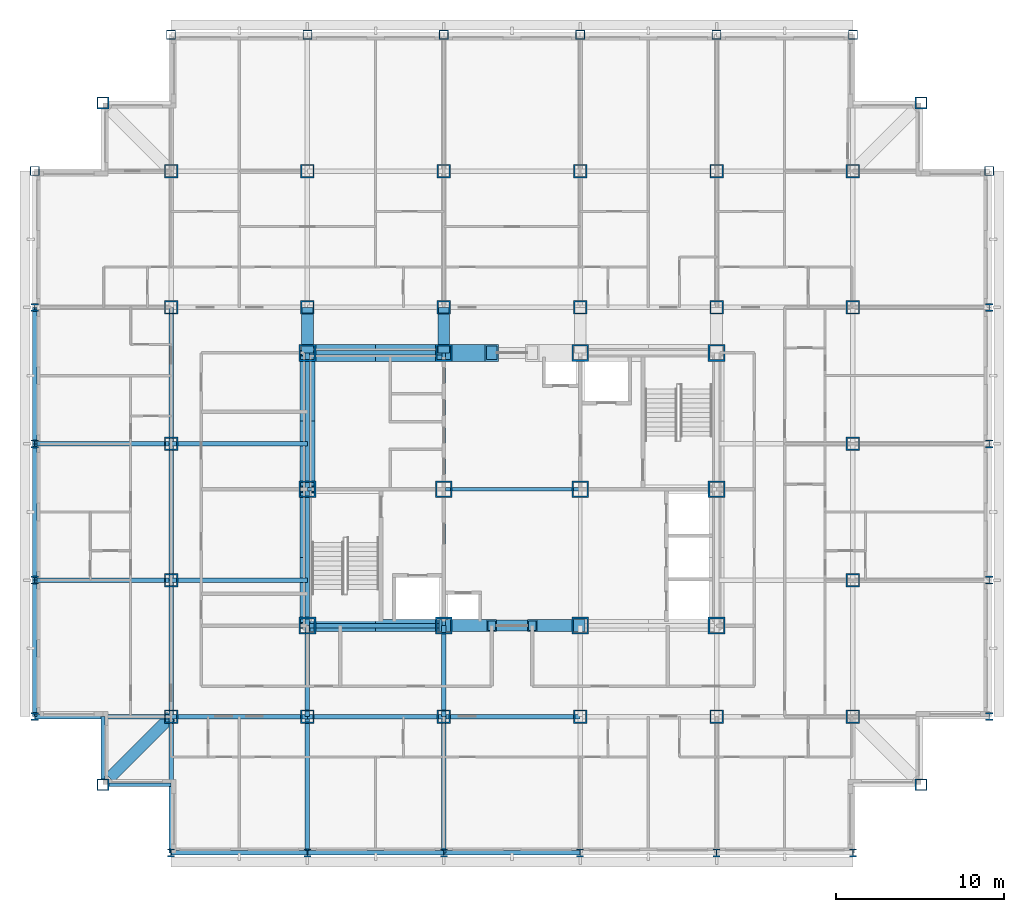
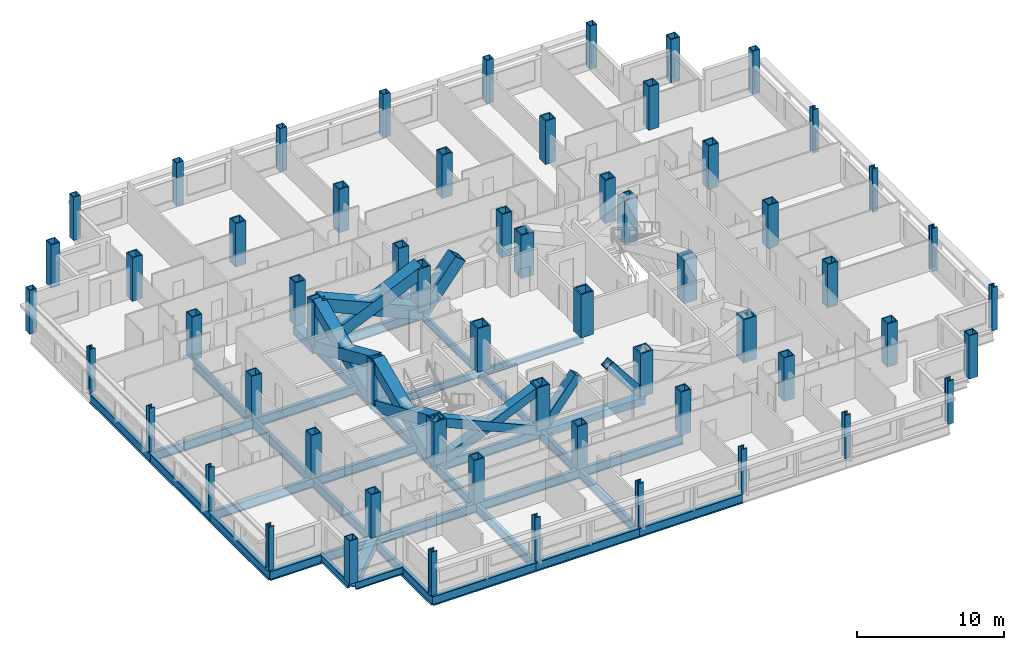
# One storey, part 1 of 12: 60 columns, 36 beams, 11 members.
"""IFC4 building model written with IfcOpenShell, lengths in metres."""

from ifc_helpers import new_model, si_unit, direction, frame, origin, origin_2d, place, context, subcontext, project, spatial, hollow_rectangle, i_section, extrude, material, material_profile, profile_set, type_object, element, save


model = new_model("IFC4")

# Units and contexts
model_context = context("Model", 3, precision=1e-05, world=origin(), true_north=direction((0.0, 1.0)))
body_context = subcontext(model_context, "Body", "Model", "MODEL_VIEW")
ifc_project = project(units=[si_unit("LENGTHUNIT", "METRE"), si_unit("AREAUNIT", "SQUARE_METRE"), si_unit("VOLUMEUNIT", "CUBIC_METRE"), si_unit("PLANEANGLEUNIT", "RADIAN"), si_unit("MASSUNIT", "GRAM", prefix="KILO")], contexts=[model_context])

# Site, building, storey
site_placement = place(None, origin())
site = spatial("IfcSite", under=ifc_project, at=site_placement, CompositionType="ELEMENT")
building_placement = place(site_placement, origin())
building = spatial("IfcBuilding", under=site, at=building_placement, Name="Kopane Lantern Tower", CompositionType="ELEMENT")
storey_placement = place(building_placement, frame((0.0, 0.0, 231.60009765625)))
storey = spatial("IfcBuildingStorey", under=building, at=storey_placement, Name="L60", CompositionType="ELEMENT", Elevation=231.60009765625)

# Columns
ifc_material_1 = material(Name="Steel S355JR", Category="steel")
ifc_material_profile_1 = material_profile(ifc_material_1, hollow_rectangle(XDim=1.0, YDim=1.0, WallThickness=0.10009765625, at=origin_2d()), Name="BOX 1000x1000x100")
ifc_profile_set_1 = profile_set([ifc_material_profile_1], Name="Steel S355JR")
column_type_1 = type_object("IfcColumnType", Name="COLUMN BOX 1000x1000x100", PredefinedType="COLUMN", material=ifc_profile_set_1)
for number, where, z_axis, x_axis, name in (
    (1, (16.199951171875, 24.300048828125, 0.0), (0.0, 0.0, 1.0), (1.0, 0.0, 0.0), "Column 4/E L60"),
    (2, (16.199951171875, 32.39990234375, 0.0), (0.0, 0.0, 1.0), (1.0, 0.0, 0.0), "Column 4/F L60"),
    (3, (16.199951171875, 40.5, 0.0), (0.0, 0.0, 1.0), (1.0, 0.0, 0.0), "Column 4/G L60"),
    (4, (24.300048828125, 24.300048828125, 0.0), (0.0, 0.0, 1.0), (1.0, 0.0, 0.0), "Column 5/E L60"),
    (5, (24.300048828125, 32.39990234375, 0.0), (0.0, 0.0, 1.0), (1.0, 0.0, 0.0), "Column 5/F L60"),
    (6, (24.300048828125, 40.5, 0.0), (0.0, 0.0, 1.0), (1.0, 0.0, 0.0), "Column 5/G L60"),
    (7, (32.39990234375, 24.300048828125, 0.0), (0.0, 0.0, 1.0), (1.0, 0.0, 0.0), "Column 6/E L60"),
    (8, (32.39990234375, 32.39990234375, 0.0), (0.0, 0.0, 1.0), (1.0, 0.0, 0.0), "Column 6/F L60"),
    (9, (32.39990234375, 40.5, 0.0), (0.0, 0.0, 1.0), (1.0, 0.0, 0.0), "Column 6/G L60"),
    (10, (40.5, 24.300048828125, 0.0), (0.0, 0.0, 1.0), (1.0, 0.0, 0.0), "Column 7/E L60"),
    (11, (40.5, 32.39990234375, 0.0), (0.0, 0.0, 1.0), (1.0, 0.0, 0.0), "Column 7/F L60"),
    (12, (40.5, 40.5, 0.0), (0.0, 0.0, 1.0), (1.0, 0.0, 0.0), "Column 7/G L60"),
):
    element("IfcColumn", number, at=place(storey_placement, frame(where, z_axis=z_axis, x_axis=x_axis)), inside=storey, type_object=column_type_1, Name=name, PredefinedType="COLUMN", context=body_context, shape_type="SweptSolid", body=[
        extrude(hollow_rectangle(XDim=1.0, YDim=1.0, WallThickness=0.10009765625, at=origin_2d()), origin(), (0.0, 0.0, 1.0), 3.599853515625),
    ])
ifc_material_2 = material(Name="Steel S355JR", Category="steel")
ifc_material_profile_2 = material_profile(ifc_material_2, hollow_rectangle(XDim=0.550048828125, YDim=0.550048828125, WallThickness=0.044921875, at=origin_2d()), Name="BOX 550x550x45")
ifc_profile_set_2 = profile_set([ifc_material_profile_2], Name="Steel S355JR")
column_type_2 = type_object("IfcColumnType", Name="COLUMN BOX 550x550x45", PredefinedType="COLUMN", material=ifc_profile_set_2)
for number, where, z_axis, x_axis, name in (
    (13, (0.0, 51.300048828125, 0.0), (0.0, 0.0, 1.0), (1.0, 0.0, 0.0), "Column 2/Q6 L60"),
    (14, (8.10009765625, 59.39990234375, 0.0), (0.0, 0.0, 1.0), (1.0, 0.0, 0.0), "Column 3/Q7 L60"),
    (15, (16.199951171875, 59.39990234375, 0.0), (0.0, 0.0, 1.0), (1.0, 0.0, 0.0), "Column 4/Q7 L60"),
    (16, (24.300048828125, 59.39990234375, 0.0), (0.0, 0.0, 1.0), (1.0, 0.0, 0.0), "Column 5/Q7 L60"),
    (17, (32.39990234375, 59.39990234375, 0.0), (0.0, 0.0, 1.0), (1.0, 0.0, 0.0), "Column 6/Q7 L60"),
    (18, (40.5, 59.39990234375, 0.0), (0.0, 0.0, 1.0), (1.0, 0.0, 0.0), "Column 7/Q7 L60"),
    (19, (48.60009765625, 59.39990234375, 0.0), (0.0, 0.0, 1.0), (1.0, 0.0, 0.0), "Column 8/Q7 L60"),
    (20, (56.699951171875, 51.300048828125, 0.0), (0.0, 0.0, 1.0), (1.0, 0.0, 0.0), "Column 9/Q6 L60"),
):
    element("IfcColumn", number, at=place(storey_placement, frame(where, z_axis=z_axis, x_axis=x_axis)), inside=storey, type_object=column_type_2, Name=name, PredefinedType="COLUMN", context=body_context, shape_type="SweptSolid", body=[
        extrude(hollow_rectangle(XDim=0.550048828125, YDim=0.550048828125, WallThickness=0.044921875, at=origin_2d()), origin(), (0.0, 0.0, 1.0), 3.599853515625),
    ])
ifc_material_3 = material(Name="Steel S355JR", Category="steel")
ifc_material_profile_3 = material_profile(ifc_material_3, hollow_rectangle(XDim=0.699951171875, YDim=0.699951171875, WallThickness=0.070068359375, at=origin_2d()), Name="BOX 700x700x70")
ifc_profile_set_3 = profile_set([ifc_material_profile_3], Name="Steel S355JR")
column_type_3 = type_object("IfcColumnType", Name="COLUMN BOX 700x700x70", PredefinedType="COLUMN", material=ifc_profile_set_3)
for number, where, z_axis, x_axis, name in (
    (21, (4.050048828125, 14.85009765625, 0.0), (0.0, 0.0, 1.0), (1.0, 0.0, 0.0), "Column 4.05/14.85 L60"),
    (22, (4.050048828125, 55.35009765625, 0.0), (0.0, 0.0, 1.0), (1.0, 0.0, 0.0), "Column 4.05/55.35 L60"),
    (23, (52.64990234375, 14.85009765625, 0.0), (0.0, 0.0, 1.0), (1.0, 0.0, 0.0), "Column 52.65/14.85 L60"),
    (24, (52.64990234375, 55.35009765625, 0.0), (0.0, 0.0, 1.0), (1.0, 0.0, 0.0), "Column 52.65/55.35 L60"),
):
    element("IfcColumn", number, at=place(storey_placement, frame(where, z_axis=z_axis, x_axis=x_axis)), inside=storey, type_object=column_type_3, Name=name, PredefinedType="COLUMN", context=body_context, shape_type="SweptSolid", body=[
        extrude(hollow_rectangle(XDim=0.699951171875, YDim=0.699951171875, WallThickness=0.070068359375, at=origin_2d()), origin(), (0.0, 0.0, 1.0), 3.599853515625),
    ])
ifc_material_4 = material(Name="Steel S355JR", Category="steel")
ifc_material_profile_4 = material_profile(ifc_material_4, hollow_rectangle(XDim=0.800048828125, YDim=0.800048828125, WallThickness=0.080078125, at=origin_2d()), Name="BOX 800x800x80")
ifc_profile_set_4 = profile_set([ifc_material_profile_4], Name="Steel S355JR")
column_type_4 = type_object("IfcColumnType", Name="COLUMN BOX 800x800x80", PredefinedType="COLUMN", material=ifc_profile_set_4)
for number, where, z_axis, x_axis, name in (
    (25, (8.10009765625, 18.89990234375, 0.0), (0.0, 0.0, 1.0), (1.0, 0.0, 0.0), "Column 3/Q2 L60"),
    (26, (8.10009765625, 27.0, 0.0), (0.0, 0.0, 1.0), (1.0, 0.0, 0.0), "Column 3/Q3 L60"),
    (27, (8.10009765625, 35.10009765625, 0.0), (0.0, 0.0, 1.0), (1.0, 0.0, 0.0), "Column 3/Q4 L60"),
    (28, (8.10009765625, 43.199951171875, 0.0), (0.0, 0.0, 1.0), (1.0, 0.0, 0.0), "Column 3/Q5 L60"),
    (29, (8.10009765625, 51.300048828125, 0.0), (0.0, 0.0, 1.0), (1.0, 0.0, 0.0), "Column 3/Q6 L60"),
    (30, (16.199951171875, 18.89990234375, 0.0), (0.0, 0.0, 1.0), (1.0, 0.0, 0.0), "Column 4/Q2 L60"),
    (31, (16.199951171875, 43.199951171875, 0.0), (0.0, 0.0, 1.0), (1.0, 0.0, 0.0), "Column 4/Q5 L60"),
    (32, (16.199951171875, 51.300048828125, 0.0), (0.0, 0.0, 1.0), (1.0, 0.0, 0.0), "Column 4/Q6 L60"),
    (33, (24.300048828125, 18.89990234375, 0.0), (0.0, 0.0, 1.0), (1.0, 0.0, 0.0), "Column 5/Q2 L60"),
    (34, (24.300048828125, 43.199951171875, 0.0), (0.0, 0.0, 1.0), (1.0, 0.0, 0.0), "Column 5/Q5 L60"),
    (35, (24.300048828125, 51.300048828125, 0.0), (0.0, 0.0, 1.0), (1.0, 0.0, 0.0), "Column 5/Q6 L60"),
    (36, (32.39990234375, 18.89990234375, 0.0), (0.0, 0.0, 1.0), (1.0, 0.0, 0.0), "Column 6/Q2 L60"),
    (37, (32.39990234375, 43.199951171875, 0.0), (0.0, 0.0, 1.0), (1.0, 0.0, 0.0), "Column 6/Q5 L60"),
    (38, (32.39990234375, 51.300048828125, 0.0), (0.0, 0.0, 1.0), (1.0, 0.0, 0.0), "Column 6/Q6 L60"),
    (39, (40.5, 18.89990234375, 0.0), (0.0, 0.0, 1.0), (1.0, 0.0, 0.0), "Column 7/Q2 L60"),
    (40, (40.5, 43.199951171875, 0.0), (0.0, 0.0, 1.0), (1.0, 0.0, 0.0), "Column 7/Q5 L60"),
    (41, (40.5, 51.300048828125, 0.0), (0.0, 0.0, 1.0), (1.0, 0.0, 0.0), "Column 7/Q6 L60"),
    (42, (48.60009765625, 18.89990234375, 0.0), (0.0, 0.0, 1.0), (1.0, 0.0, 0.0), "Column 8/Q2 L60"),
    (43, (48.60009765625, 27.0, 0.0), (0.0, 0.0, 1.0), (1.0, 0.0, 0.0), "Column 8/Q3 L60"),
    (44, (48.60009765625, 35.10009765625, 0.0), (0.0, 0.0, 1.0), (1.0, 0.0, 0.0), "Column 8/Q4 L60"),
    (45, (48.60009765625, 43.199951171875, 0.0), (0.0, 0.0, 1.0), (1.0, 0.0, 0.0), "Column 8/Q5 L60"),
    (46, (48.60009765625, 51.300048828125, 0.0), (0.0, 0.0, 1.0), (1.0, 0.0, 0.0), "Column 8/Q6 L60"),
):
    element("IfcColumn", number, at=place(storey_placement, frame(where, z_axis=z_axis, x_axis=x_axis)), inside=storey, type_object=column_type_4, Name=name, PredefinedType="COLUMN", context=body_context, shape_type="SweptSolid", body=[
        extrude(hollow_rectangle(XDim=0.800048828125, YDim=0.800048828125, WallThickness=0.080078125, at=origin_2d()), origin(), (0.0, 0.0, 1.0), 3.599853515625),
    ])
ifc_material_5 = material(Name="Steel S355JR", Category="steel")
ifc_material_profile_5 = material_profile(ifc_material_5, i_section(OverallWidth=0.424072265625, OverallDepth=0.474609375, WebThickness=0.047607421875, FlangeThickness=0.076904296875, FilletRadius=0.01513671875, at=origin_2d()), Name="UC 356x406x634")
ifc_profile_set_5 = profile_set([ifc_material_profile_5], Name="Steel S355JR")
column_type_5 = type_object("IfcColumnType", Name="COLUMN UC 356x406x634", PredefinedType="COLUMN", material=ifc_profile_set_5)
for number, where, z_axis, x_axis, name in (
    (47, (0.0, 18.89990234375, 0.0), (0.0, 0.0, 1.0), (1.0, 0.0, 0.0), "Column 2/Q2 L60"),
    (48, (0.0, 27.0, 0.0), (0.0, 0.0, 1.0), (1.0, 0.0, 0.0), "Column 2/Q3 L60"),
    (49, (0.0, 35.10009765625, 0.0), (0.0, 0.0, 1.0), (1.0, 0.0, 0.0), "Column 2/Q4 L60"),
    (50, (0.0, 43.199951171875, 0.0), (0.0, 0.0, 1.0), (1.0, 0.0, 0.0), "Column 2/Q5 L60"),
    (51, (8.10009765625, 10.800048828125, 0.0), (0.0, 0.0, 1.0), (1.0, 0.0, 0.0), "Column 3/Q1 L60"),
    (52, (16.199951171875, 10.800048828125, 0.0), (0.0, 0.0, 1.0), (1.0, 0.0, 0.0), "Column 4/Q1 L60"),
    (53, (24.300048828125, 10.800048828125, 0.0), (0.0, 0.0, 1.0), (1.0, 0.0, 0.0), "Column 5/Q1 L60"),
    (54, (32.39990234375, 10.800048828125, 0.0), (0.0, 0.0, 1.0), (1.0, 0.0, 0.0), "Column 6/Q1 L60"),
    (55, (40.5, 10.800048828125, 0.0), (0.0, 0.0, 1.0), (1.0, 0.0, 0.0), "Column 7/Q1 L60"),
    (56, (48.60009765625, 10.800048828125, 0.0), (0.0, 0.0, 1.0), (1.0, 0.0, 0.0), "Column 8/Q1 L60"),
    (57, (56.699951171875, 18.89990234375, 0.0), (0.0, 0.0, 1.0), (1.0, 0.0, 0.0), "Column 9/Q2 L60"),
    (58, (56.699951171875, 27.0, 0.0), (0.0, 0.0, 1.0), (1.0, 0.0, 0.0), "Column 9/Q3 L60"),
    (59, (56.699951171875, 35.10009765625, 0.0), (0.0, 0.0, 1.0), (1.0, 0.0, 0.0), "Column 9/Q4 L60"),
    (60, (56.699951171875, 43.199951171875, 0.0), (0.0, 0.0, 1.0), (1.0, 0.0, 0.0), "Column 9/Q5 L60"),
):
    element("IfcColumn", number, at=place(storey_placement, frame(where, z_axis=z_axis, x_axis=x_axis)), inside=storey, type_object=column_type_5, Name=name, PredefinedType="COLUMN", context=body_context, shape_type="SweptSolid", body=[
        extrude(i_section(OverallWidth=0.424072265625, OverallDepth=0.474609375, WebThickness=0.047607421875, FlangeThickness=0.076904296875, FilletRadius=0.01513671875, at=origin_2d()), origin(), (0.0, 0.0, 1.0), 3.599853515625),
    ])

# Members
ifc_material_6 = material(Name="Steel S355JR", Category="steel")
ifc_material_profile_6 = material_profile(ifc_material_6, hollow_rectangle(XDim=1.0, YDim=1.0, WallThickness=0.10009765625, at=origin_2d()), Name="BOX 1000x1000x100")
ifc_profile_set_6 = profile_set([ifc_material_profile_6], Name="Steel S355JR")
member_type_1 = type_object("IfcMemberType", Name="BRACE BOX 1000x1000x100", PredefinedType="BRACE", material=ifc_profile_set_6)
for number, where, z_axis, x_axis, name in (
    (61, (16.199951171875, 40.5, -0.210205078125), (0.915480956597, 0.0, 0.402361302945), (0.0, 1.0, 0.0), "Core brace L60"),
    (62, (24.300048828125, 40.5, -0.210205078125), (-0.915480956597, 0.0, 0.402361302945), (0.0, -1.0, 0.0), "Core brace L60"),
):
    element("IfcMember", number, at=place(storey_placement, frame(where, z_axis=z_axis, x_axis=x_axis)), inside=storey, type_object=member_type_1, Name=name, PredefinedType="BRACE", context=body_context, shape_type="SweptSolid", body=[
        extrude(hollow_rectangle(XDim=1.0, YDim=1.0, WallThickness=0.10009765625, at=origin_2d()), origin(), (0.0, 0.0, 1.0), 8.847900390625),
    ])
member_placement = place(storey_placement, frame((24.300048828125, 40.5, -0.210205078125), z_axis=(0.624936586737, 0.0, 0.780675516817), x_axis=(0.0, 1.0, 0.0)))
element("IfcMember", 63, at=member_placement, inside=storey, type_object=member_type_1, Name="Core brace L60", PredefinedType="BRACE", context=body_context, shape_type="SweptSolid", body=[
    extrude(hollow_rectangle(XDim=1.0, YDim=1.0, WallThickness=0.10009765625, at=origin_2d()), origin(), (0.0, 0.0, 1.0), 4.560302734375),
])
ifc_material_7 = material(Name="Steel S355JR", Category="steel")
ifc_material_profile_7 = material_profile(ifc_material_7, hollow_rectangle(XDim=0.699951171875, YDim=0.699951171875, WallThickness=0.06005859375, at=origin_2d()), Name="BOX 700x700x60")
ifc_profile_set_7 = profile_set([ifc_material_profile_7], Name="Steel S355JR")
member_type_2 = type_object("IfcMemberType", Name="BRACE BOX 700x700x60", PredefinedType="BRACE", material=ifc_profile_set_7)
for number, where, z_axis, x_axis, name in (
    (64, (16.199951171875, 24.300048828125, -0.210205078125), (0.915480956597, 0.0, 0.402361302945), (0.0, 1.0, 0.0), "Core brace L60"),
    (65, (24.300048828125, 24.300048828125, -0.210205078125), (-0.915480956597, 0.0, 0.402361302945), (0.0, -1.0, 0.0), "Core brace L60"),
):
    element("IfcMember", number, at=place(storey_placement, frame(where, z_axis=z_axis, x_axis=x_axis)), inside=storey, type_object=member_type_2, Name=name, PredefinedType="BRACE", context=body_context, shape_type="SweptSolid", body=[
        extrude(hollow_rectangle(XDim=0.699951171875, YDim=0.699951171875, WallThickness=0.06005859375, at=origin_2d()), origin(), (0.0, 0.0, 1.0), 8.847900390625),
    ])
for number, where, z_axis, x_axis, name in (
    (66, (24.300048828125, 24.300048828125, -0.210205078125), (0.624936586737, 0.0, 0.780675516817), (0.0, 1.0, 0.0), "Core brace L60"),
    (67, (32.39990234375, 24.300048828125, -0.210205078125), (-0.624936586737, 0.0, 0.780675516817), (0.0, -1.0, 0.0), "Core brace L60"),
):
    element("IfcMember", number, at=place(storey_placement, frame(where, z_axis=z_axis, x_axis=x_axis)), inside=storey, type_object=member_type_2, Name=name, PredefinedType="BRACE", context=body_context, shape_type="SweptSolid", body=[
        extrude(hollow_rectangle(XDim=0.699951171875, YDim=0.699951171875, WallThickness=0.06005859375, at=origin_2d()), origin(), (0.0, 0.0, 1.0), 4.560302734375),
    ])
ifc_material_8 = material(Name="Steel S355JR", Category="steel")
ifc_material_profile_8 = material_profile(ifc_material_8, hollow_rectangle(XDim=0.89990234375, YDim=0.89990234375, WallThickness=0.090087890625, at=origin_2d()), Name="BOX 900x900x90")
ifc_profile_set_8 = profile_set([ifc_material_profile_8], Name="Steel S355JR")
member_type_3 = type_object("IfcMemberType", Name="BRACE BOX 900x900x90", PredefinedType="BRACE", material=ifc_profile_set_8)
for number, where, z_axis, x_axis, name in (
    (68, (16.199951171875, 24.300048828125, -0.210205078125), (0.0, 0.915476489268, 0.402371467176), (-1.0, 0.0, 0.0), "Core brace L60"),
    (69, (16.199951171875, 32.39990234375, -0.210205078125), (0.0, -0.915476489268, 0.402371467176), (1.0, 0.0, 0.0), "Core brace L60"),
):
    element("IfcMember", number, at=place(storey_placement, frame(where, z_axis=z_axis, x_axis=x_axis)), inside=storey, type_object=member_type_3, Name=name, PredefinedType="BRACE", context=body_context, shape_type="SweptSolid", body=[
        extrude(hollow_rectangle(XDim=0.89990234375, YDim=0.89990234375, WallThickness=0.090087890625, at=origin_2d()), origin(), (0.0, 0.0, 1.0), 8.84765625),
    ])
for number, where, z_axis, x_axis, name in (
    (70, (16.199951171875, 32.39990234375, -0.210205078125), (0.0, 0.915480956597, 0.402361302945), (-1.0, 0.0, 0.0), "Core brace L60"),
    (71, (16.199951171875, 40.5, -0.210205078125), (0.0, -0.915480956597, 0.402361302945), (1.0, 0.0, 0.0), "Core brace L60"),
):
    element("IfcMember", number, at=place(storey_placement, frame(where, z_axis=z_axis, x_axis=x_axis)), inside=storey, type_object=member_type_3, Name=name, PredefinedType="BRACE", context=body_context, shape_type="SweptSolid", body=[
        extrude(hollow_rectangle(XDim=0.89990234375, YDim=0.89990234375, WallThickness=0.090087890625, at=origin_2d()), origin(), (0.0, 0.0, 1.0), 8.847900390625),
    ])

# Beams
ifc_material_9 = material(Name="Steel S355JR", Category="steel")
ifc_material_profile_9 = material_profile(ifc_material_9, i_section(OverallWidth=0.22900390625, OverallDepth=0.6123046875, WebThickness=0.011962890625, FlangeThickness=0.01953125, FilletRadius=0.0126953125, at=origin_2d()), Name="UB 610x229x125")
ifc_profile_set_9 = profile_set([ifc_material_profile_9], Name="Steel S355JR")
beam_type_1 = type_object("IfcBeamType", Name="CORE BEAM UB 610x229x125", PredefinedType="BEAM", material=ifc_profile_set_9)
beam_1_placement = place(storey_placement, frame((16.199951171875, 32.39990234375, -0.51611328125), z_axis=(1.0, 0.0, 0.0), x_axis=(0.0, 1.0, 0.0)))
element("IfcBeam", 72, at=beam_1_placement, inside=storey, type_object=beam_type_1, Name="Core Beam L60", PredefinedType="BEAM", context=body_context, shape_type="SweptSolid", body=[
    extrude(i_section(OverallWidth=0.22900390625, OverallDepth=0.6123046875, WebThickness=0.011962890625, FlangeThickness=0.01953125, FilletRadius=0.0126953125, at=origin_2d()), origin(), (0.0, 0.0, 1.0), 8.10009765625),
])
beam_2_placement = place(storey_placement, frame((24.300048828125, 24.300048828125, -0.51611328125), z_axis=(0.0, 1.0, 0.0), x_axis=(-1.0, 0.0, 0.0)))
element("IfcBeam", 73, at=beam_2_placement, inside=storey, type_object=beam_type_1, Name="Core Beam L60", PredefinedType="BEAM", context=body_context, shape_type="SweptSolid", body=[
    extrude(i_section(OverallWidth=0.22900390625, OverallDepth=0.6123046875, WebThickness=0.011962890625, FlangeThickness=0.01953125, FilletRadius=0.0126953125, at=origin_2d()), origin(), (0.0, 0.0, 1.0), 8.099853515625),
])
beam_3_placement = place(storey_placement, frame((24.300048828125, 32.39990234375, -0.51611328125), z_axis=(0.0, 1.0, 0.0), x_axis=(-1.0, 0.0, 0.0)))
element("IfcBeam", 74, at=beam_3_placement, inside=storey, type_object=beam_type_1, Name="Core Beam L60", PredefinedType="BEAM", context=body_context, shape_type="SweptSolid", body=[
    extrude(i_section(OverallWidth=0.22900390625, OverallDepth=0.6123046875, WebThickness=0.011962890625, FlangeThickness=0.01953125, FilletRadius=0.0126953125, at=origin_2d()), origin(), (0.0, 0.0, 1.0), 8.10009765625),
])
beam_4_placement = place(storey_placement, frame((24.300048828125, 32.39990234375, -0.51611328125), z_axis=(1.0, 0.0, 0.0), x_axis=(0.0, 1.0, 0.0)))
element("IfcBeam", 75, at=beam_4_placement, inside=storey, type_object=beam_type_1, Name="Core Beam L60", PredefinedType="BEAM", context=body_context, shape_type="SweptSolid", body=[
    extrude(i_section(OverallWidth=0.22900390625, OverallDepth=0.6123046875, WebThickness=0.011962890625, FlangeThickness=0.01953125, FilletRadius=0.0126953125, at=origin_2d()), origin(), (0.0, 0.0, 1.0), 8.099853515625),
])
ifc_material_10 = material(Name="Steel S355JR", Category="steel")
ifc_material_profile_10 = material_profile(ifc_material_10, hollow_rectangle(XDim=0.699951171875, YDim=0.699951171875, WallThickness=0.06005859375, at=origin_2d()), Name="BOX 700x700x60")
ifc_profile_set_10 = profile_set([ifc_material_profile_10], Name="Steel S355JR")
beam_type_2 = type_object("IfcBeamType", Name="CORNER TIE BEAM BOX 700x700x60", PredefinedType="BEAM", material=ifc_profile_set_10)
beam_5_placement = place(storey_placement, frame((4.447509765625, 15.24755859375, -0.56005859375), z_axis=(0.70713041325, 0.707083148333, 0.0), x_axis=(-0.707083148333, 0.70713041325, 0.0)))
element("IfcBeam", 76, at=beam_5_placement, inside=storey, type_object=beam_type_2, Name="Corner Tie Beam L60", PredefinedType="BEAM", context=body_context, shape_type="SweptSolid", body=[
    extrude(hollow_rectangle(XDim=0.699951171875, YDim=0.699951171875, WallThickness=0.06005859375, at=origin_2d()), origin(), (0.0, 0.0, 1.0), 5.165283203125),
])
ifc_material_11 = material(Name="Steel S355JR", Category="steel")
ifc_material_profile_11 = material_profile(ifc_material_11, i_section(OverallWidth=0.22900390625, OverallDepth=0.6123046875, WebThickness=0.011962890625, FlangeThickness=0.01953125, FilletRadius=0.0126953125, at=origin_2d()), Name="UB 610x229x125")
ifc_profile_set_11 = profile_set([ifc_material_profile_11], Name="Steel S355JR")
beam_type_3 = type_object("IfcBeamType", Name="EDGE BEAM UB 610x229x125", PredefinedType="BEAM", material=ifc_profile_set_11)
beam_6_placement = place(storey_placement, frame((4.050048828125, 15.199951171875, -0.51611328125), z_axis=(0.0, 1.0, 0.0), x_axis=(-1.0, 0.0, 0.0)))
element("IfcBeam", 77, at=beam_6_placement, inside=storey, type_object=beam_type_3, Name="Edge Beam L60", PredefinedType="BEAM", context=body_context, shape_type="SweptSolid", body=[
    extrude(i_section(OverallWidth=0.22900390625, OverallDepth=0.6123046875, WebThickness=0.011962890625, FlangeThickness=0.01953125, FilletRadius=0.0126953125, at=origin_2d()), origin(), (0.0, 0.0, 1.0), 3.699951171875),
])
beam_7_placement = place(storey_placement, frame((4.39990234375, 14.85009765625, -0.51611328125), z_axis=(1.0, 0.0, 0.0), x_axis=(0.0, 1.0, 0.0)))
element("IfcBeam", 78, at=beam_7_placement, inside=storey, type_object=beam_type_3, Name="Edge Beam L60", PredefinedType="BEAM", context=body_context, shape_type="SweptSolid", body=[
    extrude(i_section(OverallWidth=0.22900390625, OverallDepth=0.6123046875, WebThickness=0.011962890625, FlangeThickness=0.01953125, FilletRadius=0.0126953125, at=origin_2d()), origin(), (0.0, 0.0, 1.0), 3.7001953125),
])
ifc_material_12 = material(Name="Steel S355JR", Category="steel")
ifc_material_profile_12 = material_profile(ifc_material_12, hollow_rectangle(XDim=0.699951171875, YDim=0.699951171875, WallThickness=0.06005859375, at=origin_2d()), Name="BOX 700x700x60")
ifc_profile_set_12 = profile_set([ifc_material_profile_12], Name="Steel S355JR")
beam_type_4 = type_object("IfcBeamType", Name="GIRDER BOX 700x700x60", PredefinedType="BEAM", material=ifc_profile_set_12)
for number, where, z_axis, x_axis, name in (
    (79, (16.199951171875, 40.5, -0.56005859375), (0.0, 1.0, 0.0), (-1.0, 0.0, 0.0), "Girder L60"),
    (80, (24.300048828125, 40.5, -0.56005859375), (0.0, 1.0, 0.0), (-1.0, 0.0, 0.0), "Girder L60"),
):
    element("IfcBeam", number, at=place(storey_placement, frame(where, z_axis=z_axis, x_axis=x_axis)), inside=storey, type_object=beam_type_4, Name=name, PredefinedType="BEAM", context=body_context, shape_type="SweptSolid", body=[
        extrude(hollow_rectangle(XDim=0.699951171875, YDim=0.699951171875, WallThickness=0.06005859375, at=origin_2d()), origin(), (0.0, 0.0, 1.0), 2.699951171875),
    ])
ifc_material_13 = material(Name="Steel S355JR", Category="steel")
ifc_material_profile_13 = material_profile(ifc_material_13, i_section(OverallWidth=0.2666015625, OverallDepth=0.76220703125, WebThickness=0.014404296875, FlangeThickness=0.021484375, FilletRadius=0.0166015625, at=origin_2d()), Name="UB 762x267x173")
ifc_profile_set_13 = profile_set([ifc_material_profile_13], Name="Steel S355JR")
beam_type_5 = type_object("IfcBeamType", Name="GIRDER UB 762x267x173", PredefinedType="BEAM", material=ifc_profile_set_13)
for number, where, z_axis, x_axis, name in (
    (81, (0.0, 18.89990234375, -0.59130859375), (0.0, 1.0, 0.0), (-1.0, 0.0, 0.0), "Girder L60"),
    (82, (0.0, 18.89990234375, -0.59130859375), (1.0, 0.0, 0.0), (0.0, 1.0, 0.0), "Girder L60"),
    (83, (0.0, 27.0, -0.59130859375), (0.0, 1.0, 0.0), (-1.0, 0.0, 0.0), "Girder L60"),
    (84, (0.0, 27.0, -0.59130859375), (1.0, 0.0, 0.0), (0.0, 1.0, 0.0), "Girder L60"),
):
    element("IfcBeam", number, at=place(storey_placement, frame(where, z_axis=z_axis, x_axis=x_axis)), inside=storey, type_object=beam_type_5, Name=name, PredefinedType="BEAM", context=body_context, shape_type="SweptSolid", body=[
        extrude(i_section(OverallWidth=0.2666015625, OverallDepth=0.76220703125, WebThickness=0.014404296875, FlangeThickness=0.021484375, FilletRadius=0.0166015625, at=origin_2d()), origin(), (0.0, 0.0, 1.0), 8.10009765625),
    ])
beam_8_placement = place(storey_placement, frame((0.0, 35.10009765625, -0.59130859375), z_axis=(0.0, 1.0, 0.0), x_axis=(-1.0, 0.0, 0.0)))
element("IfcBeam", 85, at=beam_8_placement, inside=storey, type_object=beam_type_5, Name="Girder L60", PredefinedType="BEAM", context=body_context, shape_type="SweptSolid", body=[
    extrude(i_section(OverallWidth=0.2666015625, OverallDepth=0.76220703125, WebThickness=0.014404296875, FlangeThickness=0.021484375, FilletRadius=0.0166015625, at=origin_2d()), origin(), (0.0, 0.0, 1.0), 8.099853515625),
])
beam_9_placement = place(storey_placement, frame((0.0, 35.10009765625, -0.59130859375), z_axis=(1.0, 0.0, 0.0), x_axis=(0.0, 1.0, 0.0)))
element("IfcBeam", 86, at=beam_9_placement, inside=storey, type_object=beam_type_5, Name="Girder L60", PredefinedType="BEAM", context=body_context, shape_type="SweptSolid", body=[
    extrude(i_section(OverallWidth=0.2666015625, OverallDepth=0.76220703125, WebThickness=0.014404296875, FlangeThickness=0.021484375, FilletRadius=0.0166015625, at=origin_2d()), origin(), (0.0, 0.0, 1.0), 8.10009765625),
])
for number, where, z_axis, x_axis, name in (
    (87, (8.10009765625, 10.800048828125, -0.59130859375), (0.0, 1.0, 0.0), (-1.0, 0.0, 0.0), "Girder L60"),
    (88, (8.10009765625, 10.800048828125, -0.59130859375), (1.0, 0.0, 0.0), (0.0, 1.0, 0.0), "Girder L60"),
):
    element("IfcBeam", number, at=place(storey_placement, frame(where, z_axis=z_axis, x_axis=x_axis)), inside=storey, type_object=beam_type_5, Name=name, PredefinedType="BEAM", context=body_context, shape_type="SweptSolid", body=[
        extrude(i_section(OverallWidth=0.2666015625, OverallDepth=0.76220703125, WebThickness=0.014404296875, FlangeThickness=0.021484375, FilletRadius=0.0166015625, at=origin_2d()), origin(), (0.0, 0.0, 1.0), 8.099853515625),
    ])
beam_10_placement = place(storey_placement, frame((8.10009765625, 18.89990234375, -0.59130859375), z_axis=(0.0, 1.0, 0.0), x_axis=(-1.0, 0.0, 0.0)))
element("IfcBeam", 89, at=beam_10_placement, inside=storey, type_object=beam_type_5, Name="Girder L60", PredefinedType="BEAM", context=body_context, shape_type="SweptSolid", body=[
    extrude(i_section(OverallWidth=0.2666015625, OverallDepth=0.76220703125, WebThickness=0.014404296875, FlangeThickness=0.021484375, FilletRadius=0.0166015625, at=origin_2d()), origin(), (0.0, 0.0, 1.0), 8.10009765625),
])
beam_11_placement = place(storey_placement, frame((8.10009765625, 18.89990234375, -0.59130859375), z_axis=(1.0, 0.0, 0.0), x_axis=(0.0, 1.0, 0.0)))
element("IfcBeam", 90, at=beam_11_placement, inside=storey, type_object=beam_type_5, Name="Girder L60", PredefinedType="BEAM", context=body_context, shape_type="SweptSolid", body=[
    extrude(i_section(OverallWidth=0.2666015625, OverallDepth=0.76220703125, WebThickness=0.014404296875, FlangeThickness=0.021484375, FilletRadius=0.0166015625, at=origin_2d()), origin(), (0.0, 0.0, 1.0), 8.099853515625),
])
beam_12_placement = place(storey_placement, frame((8.10009765625, 27.0, -0.59130859375), z_axis=(0.0, 1.0, 0.0), x_axis=(-1.0, 0.0, 0.0)))
element("IfcBeam", 91, at=beam_12_placement, inside=storey, type_object=beam_type_5, Name="Girder L60", PredefinedType="BEAM", context=body_context, shape_type="SweptSolid", body=[
    extrude(i_section(OverallWidth=0.2666015625, OverallDepth=0.76220703125, WebThickness=0.014404296875, FlangeThickness=0.021484375, FilletRadius=0.0166015625, at=origin_2d()), origin(), (0.0, 0.0, 1.0), 8.10009765625),
])
for number, where, z_axis, x_axis, name in (
    (92, (8.10009765625, 27.0, -0.59130859375), (1.0, 0.0, 0.0), (0.0, 1.0, 0.0), "Girder L60"),
    (93, (8.10009765625, 35.10009765625, -0.59130859375), (0.0, 1.0, 0.0), (-1.0, 0.0, 0.0), "Girder L60"),
    (94, (8.10009765625, 35.10009765625, -0.59130859375), (1.0, 0.0, 0.0), (0.0, 1.0, 0.0), "Girder L60"),
    (95, (16.199951171875, 10.800048828125, -0.59130859375), (0.0, 1.0, 0.0), (-1.0, 0.0, 0.0), "Girder L60"),
):
    element("IfcBeam", number, at=place(storey_placement, frame(where, z_axis=z_axis, x_axis=x_axis)), inside=storey, type_object=beam_type_5, Name=name, PredefinedType="BEAM", context=body_context, shape_type="SweptSolid", body=[
        extrude(i_section(OverallWidth=0.2666015625, OverallDepth=0.76220703125, WebThickness=0.014404296875, FlangeThickness=0.021484375, FilletRadius=0.0166015625, at=origin_2d()), origin(), (0.0, 0.0, 1.0), 8.099853515625),
    ])
beam_13_placement = place(storey_placement, frame((16.199951171875, 10.800048828125, -0.59130859375), z_axis=(1.0, 0.0, 0.0), x_axis=(0.0, 1.0, 0.0)))
element("IfcBeam", 96, at=beam_13_placement, inside=storey, type_object=beam_type_5, Name="Girder L60", PredefinedType="BEAM", context=body_context, shape_type="SweptSolid", body=[
    extrude(i_section(OverallWidth=0.2666015625, OverallDepth=0.76220703125, WebThickness=0.014404296875, FlangeThickness=0.021484375, FilletRadius=0.0166015625, at=origin_2d()), origin(), (0.0, 0.0, 1.0), 8.10009765625),
])
beam_14_placement = place(storey_placement, frame((16.199951171875, 18.89990234375, -0.59130859375), z_axis=(0.0, 1.0, 0.0), x_axis=(-1.0, 0.0, 0.0)))
element("IfcBeam", 97, at=beam_14_placement, inside=storey, type_object=beam_type_5, Name="Girder L60", PredefinedType="BEAM", context=body_context, shape_type="SweptSolid", body=[
    extrude(i_section(OverallWidth=0.2666015625, OverallDepth=0.76220703125, WebThickness=0.014404296875, FlangeThickness=0.021484375, FilletRadius=0.0166015625, at=origin_2d()), origin(), (0.0, 0.0, 1.0), 5.400146484375),
])
beam_15_placement = place(storey_placement, frame((16.199951171875, 18.89990234375, -0.59130859375), z_axis=(1.0, 0.0, 0.0), x_axis=(0.0, 1.0, 0.0)))
element("IfcBeam", 98, at=beam_15_placement, inside=storey, type_object=beam_type_5, Name="Girder L60", PredefinedType="BEAM", context=body_context, shape_type="SweptSolid", body=[
    extrude(i_section(OverallWidth=0.2666015625, OverallDepth=0.76220703125, WebThickness=0.014404296875, FlangeThickness=0.021484375, FilletRadius=0.0166015625, at=origin_2d()), origin(), (0.0, 0.0, 1.0), 8.10009765625),
])
beam_16_placement = place(storey_placement, frame((16.199951171875, 24.300048828125, -0.59130859375), z_axis=(0.0, 1.0, 0.0), x_axis=(-1.0, 0.0, 0.0)))
element("IfcBeam", 99, at=beam_16_placement, inside=storey, type_object=beam_type_5, Name="Girder L60", PredefinedType="BEAM", context=body_context, shape_type="SweptSolid", body=[
    extrude(i_section(OverallWidth=0.2666015625, OverallDepth=0.76220703125, WebThickness=0.014404296875, FlangeThickness=0.021484375, FilletRadius=0.0166015625, at=origin_2d()), origin(), (0.0, 0.0, 1.0), 8.099853515625),
])
for number, where, z_axis, x_axis, name in (
    (100, (16.199951171875, 24.300048828125, -0.59130859375), (1.0, 0.0, 0.0), (0.0, 1.0, 0.0), "Girder L60"),
    (101, (16.199951171875, 32.39990234375, -0.59130859375), (0.0, 1.0, 0.0), (-1.0, 0.0, 0.0), "Girder L60"),
    (102, (16.199951171875, 40.5, -0.59130859375), (1.0, 0.0, 0.0), (0.0, 1.0, 0.0), "Girder L60"),
):
    element("IfcBeam", number, at=place(storey_placement, frame(where, z_axis=z_axis, x_axis=x_axis)), inside=storey, type_object=beam_type_5, Name=name, PredefinedType="BEAM", context=body_context, shape_type="SweptSolid", body=[
        extrude(i_section(OverallWidth=0.2666015625, OverallDepth=0.76220703125, WebThickness=0.014404296875, FlangeThickness=0.021484375, FilletRadius=0.0166015625, at=origin_2d()), origin(), (0.0, 0.0, 1.0), 8.10009765625),
    ])
for number, where, z_axis, x_axis, name in (
    (103, (24.300048828125, 10.800048828125, -0.59130859375), (0.0, 1.0, 0.0), (-1.0, 0.0, 0.0), "Girder L60"),
    (104, (24.300048828125, 10.800048828125, -0.59130859375), (1.0, 0.0, 0.0), (0.0, 1.0, 0.0), "Girder L60"),
):
    element("IfcBeam", number, at=place(storey_placement, frame(where, z_axis=z_axis, x_axis=x_axis)), inside=storey, type_object=beam_type_5, Name=name, PredefinedType="BEAM", context=body_context, shape_type="SweptSolid", body=[
        extrude(i_section(OverallWidth=0.2666015625, OverallDepth=0.76220703125, WebThickness=0.014404296875, FlangeThickness=0.021484375, FilletRadius=0.0166015625, at=origin_2d()), origin(), (0.0, 0.0, 1.0), 8.099853515625),
    ])
beam_17_placement = place(storey_placement, frame((24.300048828125, 18.89990234375, -0.59130859375), z_axis=(0.0, 1.0, 0.0), x_axis=(-1.0, 0.0, 0.0)))
element("IfcBeam", 105, at=beam_17_placement, inside=storey, type_object=beam_type_5, Name="Girder L60", PredefinedType="BEAM", context=body_context, shape_type="SweptSolid", body=[
    extrude(i_section(OverallWidth=0.2666015625, OverallDepth=0.76220703125, WebThickness=0.014404296875, FlangeThickness=0.021484375, FilletRadius=0.0166015625, at=origin_2d()), origin(), (0.0, 0.0, 1.0), 5.400146484375),
])
beam_18_placement = place(storey_placement, frame((24.300048828125, 18.89990234375, -0.59130859375), z_axis=(1.0, 0.0, 0.0), x_axis=(0.0, 1.0, 0.0)))
element("IfcBeam", 106, at=beam_18_placement, inside=storey, type_object=beam_type_5, Name="Girder L60", PredefinedType="BEAM", context=body_context, shape_type="SweptSolid", body=[
    extrude(i_section(OverallWidth=0.2666015625, OverallDepth=0.76220703125, WebThickness=0.014404296875, FlangeThickness=0.021484375, FilletRadius=0.0166015625, at=origin_2d()), origin(), (0.0, 0.0, 1.0), 8.099853515625),
])
ifc_material_14 = material(Name="Steel S355JR", Category="steel")
ifc_material_profile_14 = material_profile(ifc_material_14, hollow_rectangle(XDim=0.64990234375, YDim=0.64990234375, WallThickness=0.070068359375, at=origin_2d()), Name="BOX 650x650x70")
ifc_profile_set_14 = profile_set([ifc_material_profile_14], Name="Steel S355JR")
beam_type_6 = type_object("IfcBeamType", Name="LINK BEAM BOX 650x650x70", PredefinedType="BEAM", material=ifc_profile_set_14)
beam_19_placement = place(storey_placement, frame((24.300048828125, 24.300048828125, -0.53515625), z_axis=(1.0, 0.0, 0.0), x_axis=(0.0, 1.0, 0.0)))
element("IfcBeam", 107, at=beam_19_placement, inside=storey, type_object=beam_type_6, Name="Link Beam L60", PredefinedType="BEAM", context=body_context, shape_type="SweptSolid", body=[
    extrude(hollow_rectangle(XDim=0.64990234375, YDim=0.64990234375, WallThickness=0.070068359375, at=origin_2d()), origin(), (0.0, 0.0, 1.0), 8.099853515625),
])

save(model, "model.ifc")
